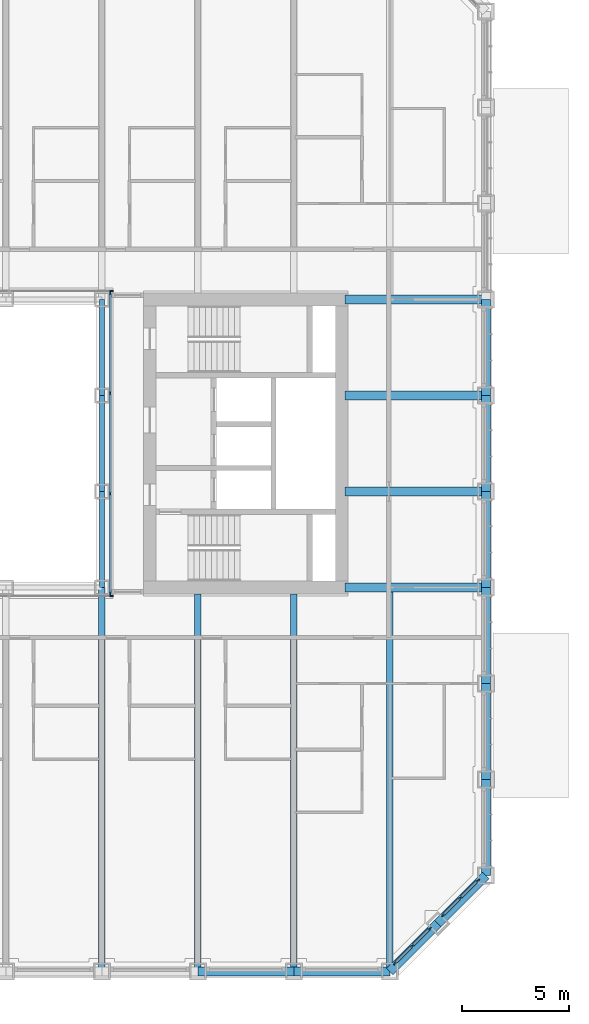
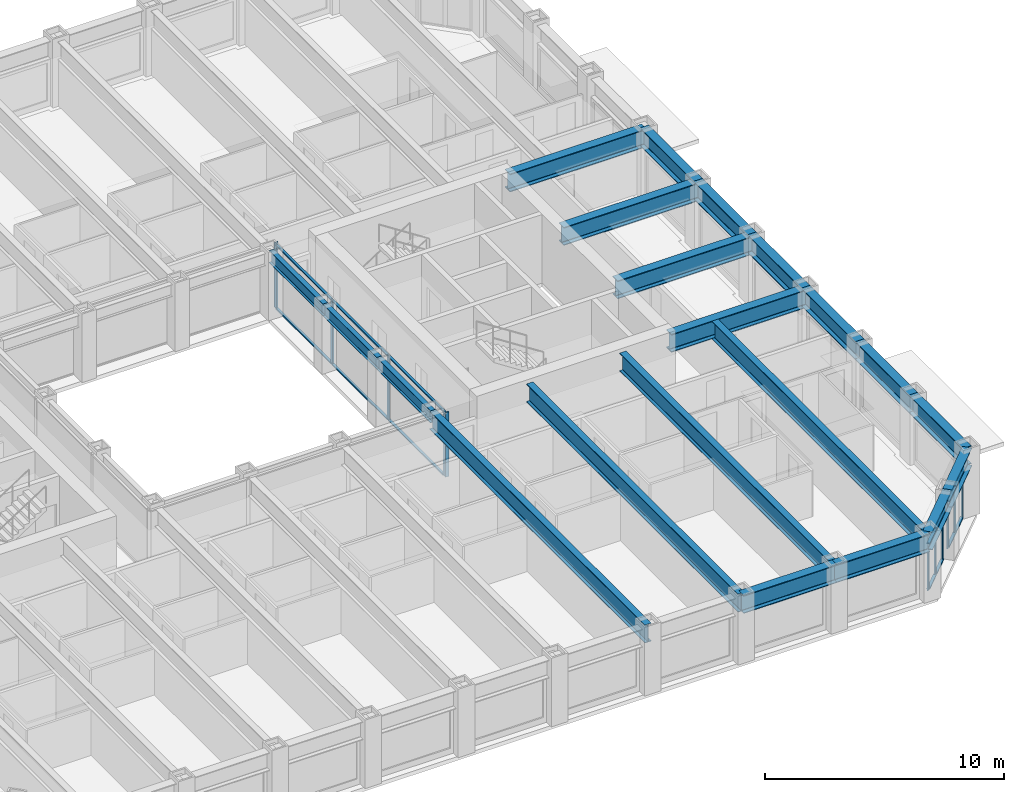
# One storey, part 5 of 24: 26 members, 21 beams, 5 elements without a shape of their own.
"""IFC4 building model written with IfcOpenShell, lengths in metres."""

from ifc_helpers import new_model, si_unit, direction, frame, origin, origin_2d, place, context, subcontext, project, spatial, rectangle, i_section, extrude, material, material_profile, profile_set, type_object, element, aggregate, save


model = new_model("IFC4")

# Units and contexts
model_context = context("Model", 3, precision=1e-05, world=origin(), true_north=direction((0.0, 1.0)))
body_context = subcontext(model_context, "Body", "Model", "MODEL_VIEW")
ifc_project = project(units=[si_unit("LENGTHUNIT", "METRE"), si_unit("AREAUNIT", "SQUARE_METRE"), si_unit("VOLUMEUNIT", "CUBIC_METRE"), si_unit("PLANEANGLEUNIT", "RADIAN"), si_unit("MASSUNIT", "GRAM", prefix="KILO")], contexts=[model_context])

# Site, building, storey
site_placement = place(None, origin())
site = spatial("IfcSite", under=ifc_project, at=site_placement, CompositionType="ELEMENT")
building_placement = place(site_placement, origin())
building = spatial("IfcBuilding", under=site, at=building_placement, Name="Msasa Ring Tower", CompositionType="ELEMENT")
storey_placement = place(building_placement, frame((0.0, 0.0, 26.5)))
storey = spatial("IfcBuildingStorey", under=building, at=storey_placement, Name="L05", CompositionType="ELEMENT", Elevation=26.5)

# Curtain wall, members
ifc_material_1 = material(Name="Aluminium curtain wall with clear glass", Category="aluminium")
curtain_wall_type_1 = type_object("IfcCurtainWallType", Name="CW-C CHAMFER CORNER CURTAIN WALL", PredefinedType="NOTDEFINED", material=ifc_material_1)
curtain_wall_1_placement = place(storey_placement, origin())
curtain_wall_1 = element("IfcCurtainWall", 1, at=curtain_wall_1_placement, inside=storey, type_object=curtain_wall_type_1, Name="Chamfer corner curtain wall SE L05", PredefinedType="NOTDEFINED")
ifc_material_2 = material(Name="Aluminium mullion", Category="aluminium")
ifc_material_profile_1 = material_profile(ifc_material_2, rectangle(XDim=0.06494140625, YDim=0.179931640625, at=origin_2d()), Name="AL 65x180")
ifc_profile_set_1 = profile_set([ifc_material_profile_1], Name="Aluminium mullion")
member_type_1 = type_object("IfcMemberType", Name="CW-C MULLION 65x180", PredefinedType="MULLION", material=ifc_profile_set_1)
member_1_placement = place(storey_placement, frame((20.48876953125, -24.369873046875, 0.0), z_axis=(0.0, 0.0, 1.0), x_axis=(-0.707106781187, 0.707106781187, 0.0)))
member_1 = element("IfcMember", 2, at=member_1_placement, type_object=member_type_1, Name="CW-C mullion 1", PredefinedType="MULLION", context=body_context, shape_type="SweptSolid", body=[
    extrude(rectangle(XDim=0.06494140625, YDim=0.179931640625, at=origin_2d()), origin(), (0.0, 0.0, 1.0), 2.37890625),
])
member_2_placement = place(storey_placement, frame((21.30419921875, -23.55419921875, 0.0), z_axis=(0.0, 0.0, 1.0), x_axis=(-0.707106781187, 0.707106781187, 0.0)))
member_2 = element("IfcMember", 3, at=member_2_placement, type_object=member_type_1, Name="CW-C mullion 2", PredefinedType="MULLION", context=body_context, shape_type="SweptSolid", body=[
    extrude(rectangle(XDim=0.06494140625, YDim=0.179931640625, at=origin_2d()), origin(), (0.0, 0.0, 1.0), 2.37890625),
])
member_3_placement = place(storey_placement, frame((22.119873046875, -22.73876953125, 0.0), z_axis=(0.0, 0.0, 1.0), x_axis=(-0.707106781187, 0.707106781187, 0.0)))
member_3 = element("IfcMember", 4, at=member_3_placement, type_object=member_type_1, Name="CW-C mullion 3", PredefinedType="MULLION", context=body_context, shape_type="SweptSolid", body=[
    extrude(rectangle(XDim=0.06494140625, YDim=0.179931640625, at=origin_2d()), origin(), (0.0, 0.0, 1.0), 2.37890625),
])

curtain_wall_2_placement = place(storey_placement, origin())
curtain_wall_2 = element("IfcCurtainWall", 5, at=curtain_wall_2_placement, inside=storey, type_object=curtain_wall_type_1, Name="Chamfer corner curtain wall SE L05", PredefinedType="NOTDEFINED")
member_4_placement = place(storey_placement, frame((22.73876953125, -22.119873046875, 0.0), z_axis=(0.0, 0.0, 1.0), x_axis=(-0.707106781187, 0.707106781187, 0.0)))
member_4 = element("IfcMember", 6, at=member_4_placement, type_object=member_type_1, Name="CW-C mullion 1", PredefinedType="MULLION", context=body_context, shape_type="SweptSolid", body=[
    extrude(rectangle(XDim=0.06494140625, YDim=0.179931640625, at=origin_2d()), origin(), (0.0, 0.0, 1.0), 2.37890625),
])
member_5_placement = place(storey_placement, frame((23.55419921875, -21.30419921875, 0.0), z_axis=(0.0, 0.0, 1.0), x_axis=(-0.707106781187, 0.707106781187, 0.0)))
member_5 = element("IfcMember", 7, at=member_5_placement, type_object=member_type_1, Name="CW-C mullion 2", PredefinedType="MULLION", context=body_context, shape_type="SweptSolid", body=[
    extrude(rectangle(XDim=0.06494140625, YDim=0.179931640625, at=origin_2d()), origin(), (0.0, 0.0, 1.0), 2.37890625),
])
member_6_placement = place(storey_placement, frame((24.369873046875, -20.48876953125, 0.0), z_axis=(0.0, 0.0, 1.0), x_axis=(-0.707106781187, 0.707106781187, 0.0)))
member_6 = element("IfcMember", 8, at=member_6_placement, type_object=member_type_1, Name="CW-C mullion 3", PredefinedType="MULLION", context=body_context, shape_type="SweptSolid", body=[
    extrude(rectangle(XDim=0.06494140625, YDim=0.179931640625, at=origin_2d()), origin(), (0.0, 0.0, 1.0), 2.37890625),
])

# Member
ifc_material_3 = material(Name="Aluminium transom", Category="aluminium")
ifc_material_profile_2 = material_profile(ifc_material_3, rectangle(XDim=0.139892578125, YDim=0.06494140625, at=origin_2d()), Name="AL 65x140")
ifc_profile_set_2 = profile_set([ifc_material_profile_2], Name="Aluminium transom")
member_type_2 = type_object("IfcMemberType", Name="CW-C TRANSOM 65x140", PredefinedType="USERDEFINED", material=ifc_profile_set_2)
member_7_placement = place(storey_placement, frame((20.51171875, -24.346923828125, 0.032470703125), z_axis=(0.707106781187, 0.707106781187, 0.0), x_axis=(-0.707106781187, 0.707106781187, 0.0)))
member_7 = element("IfcMember", 9, at=member_7_placement, type_object=member_type_2, Name="CW-C transom 1.1", ObjectType="TRANSOM", PredefinedType="USERDEFINED", context=body_context, shape_type="SweptSolid", body=[
    extrude(rectangle(XDim=0.139892578125, YDim=0.06494140625, at=origin_2d()), origin(), (0.0, 0.0, 1.0), 1.08837890625),
])

member_8_placement = place(storey_placement, frame((20.51171875, -24.346923828125, 2.346435546875), z_axis=(0.707106781187, 0.707106781187, 0.0), x_axis=(-0.707106781187, 0.707106781187, 0.0)))
member_8 = element("IfcMember", 10, at=member_8_placement, type_object=member_type_2, Name="CW-C transom 1.2", ObjectType="TRANSOM", PredefinedType="USERDEFINED", context=body_context, shape_type="SweptSolid", body=[
    extrude(rectangle(XDim=0.139892578125, YDim=0.06494140625, at=origin_2d()), origin(), (0.0, 0.0, 1.0), 1.08837890625),
])

member_9_placement = place(storey_placement, frame((21.327392578125, -23.53125, 0.032470703125), z_axis=(0.707106781187, 0.707106781187, 0.0), x_axis=(-0.707106781187, 0.707106781187, 0.0)))
member_9 = element("IfcMember", 11, at=member_9_placement, type_object=member_type_2, Name="CW-C transom 2.1", ObjectType="TRANSOM", PredefinedType="USERDEFINED", context=body_context, shape_type="SweptSolid", body=[
    extrude(rectangle(XDim=0.139892578125, YDim=0.06494140625, at=origin_2d()), origin(), (0.0, 0.0, 1.0), 1.08837890625),
])

member_10_placement = place(storey_placement, frame((21.327392578125, -23.53125, 2.346435546875), z_axis=(0.707106781187, 0.707106781187, 0.0), x_axis=(-0.707106781187, 0.707106781187, 0.0)))
member_10 = element("IfcMember", 12, at=member_10_placement, type_object=member_type_2, Name="CW-C transom 2.2", ObjectType="TRANSOM", PredefinedType="USERDEFINED", context=body_context, shape_type="SweptSolid", body=[
    extrude(rectangle(XDim=0.139892578125, YDim=0.06494140625, at=origin_2d()), origin(), (0.0, 0.0, 1.0), 1.08837890625),
])

aggregate(curtain_wall_1, [member_1, member_2, member_3, member_7, member_8, member_9, member_10])

member_11_placement = place(storey_placement, frame((22.76171875, -22.096923828125, 0.032470703125), z_axis=(0.707106781187, 0.707106781187, 0.0), x_axis=(-0.707106781187, 0.707106781187, 0.0)))
member_11 = element("IfcMember", 13, at=member_11_placement, type_object=member_type_2, Name="CW-C transom 1.1", ObjectType="TRANSOM", PredefinedType="USERDEFINED", context=body_context, shape_type="SweptSolid", body=[
    extrude(rectangle(XDim=0.139892578125, YDim=0.06494140625, at=origin_2d()), origin(), (0.0, 0.0, 1.0), 1.08837890625),
])

member_12_placement = place(storey_placement, frame((22.76171875, -22.096923828125, 2.346435546875), z_axis=(0.707106781187, 0.707106781187, 0.0), x_axis=(-0.707106781187, 0.707106781187, 0.0)))
member_12 = element("IfcMember", 14, at=member_12_placement, type_object=member_type_2, Name="CW-C transom 1.2", ObjectType="TRANSOM", PredefinedType="USERDEFINED", context=body_context, shape_type="SweptSolid", body=[
    extrude(rectangle(XDim=0.139892578125, YDim=0.06494140625, at=origin_2d()), origin(), (0.0, 0.0, 1.0), 1.08837890625),
])

member_13_placement = place(storey_placement, frame((23.577392578125, -21.28125, 0.032470703125), z_axis=(0.707106781187, 0.707106781187, 0.0), x_axis=(-0.707106781187, 0.707106781187, 0.0)))
member_13 = element("IfcMember", 15, at=member_13_placement, type_object=member_type_2, Name="CW-C transom 2.1", ObjectType="TRANSOM", PredefinedType="USERDEFINED", context=body_context, shape_type="SweptSolid", body=[
    extrude(rectangle(XDim=0.139892578125, YDim=0.06494140625, at=origin_2d()), origin(), (0.0, 0.0, 1.0), 1.08837890625),
])

member_14_placement = place(storey_placement, frame((23.577392578125, -21.28125, 2.346435546875), z_axis=(0.707106781187, 0.707106781187, 0.0), x_axis=(-0.707106781187, 0.707106781187, 0.0)))
member_14 = element("IfcMember", 16, at=member_14_placement, type_object=member_type_2, Name="CW-C transom 2.2", ObjectType="TRANSOM", PredefinedType="USERDEFINED", context=body_context, shape_type="SweptSolid", body=[
    extrude(rectangle(XDim=0.139892578125, YDim=0.06494140625, at=origin_2d()), origin(), (0.0, 0.0, 1.0), 1.08837890625),
])

aggregate(curtain_wall_2, [member_4, member_5, member_6, member_11, member_12, member_13, member_14])

# Curtain wall, member
ifc_material_4 = material(Name="Aluminium curtain wall with clear glass", Category="aluminium")
curtain_wall_type_2 = type_object("IfcCurtainWallType", Name="CW-W LIGHT WELL CURTAIN WALL", PredefinedType="NOTDEFINED", material=ifc_material_4)
curtain_wall_3_placement = place(storey_placement, origin())
curtain_wall_3 = element("IfcCurtainWall", 17, at=curtain_wall_3_placement, inside=storey, type_object=curtain_wall_type_2, Name="Light well curtain wall N L05", PredefinedType="NOTDEFINED")
ifc_material_5 = material(Name="Aluminium mullion", Category="aluminium")
ifc_material_profile_3 = material_profile(ifc_material_5, rectangle(XDim=0.06005859375, YDim=0.159912109375, at=origin_2d()), Name="AL 60x160")
ifc_profile_set_3 = profile_set([ifc_material_profile_3], Name="Aluminium mullion")
member_type_3 = type_object("IfcMemberType", Name="CW-W MULLION 60x160", PredefinedType="MULLION", material=ifc_profile_set_3)
member_15_placement = place(storey_placement, frame((7.199951171875, 7.14990234375, 0.0), z_axis=(0.0, 0.0, 1.0), x_axis=(0.0, 1.0, 0.0)))
member_15 = element("IfcMember", 18, at=member_15_placement, type_object=member_type_3, Name="CW-W mullion 4", PredefinedType="MULLION", context=body_context, shape_type="SweptSolid", body=[
    extrude(rectangle(XDim=0.06005859375, YDim=0.159912109375, at=origin_2d()), origin(), (0.0, 0.0, 1.0), 3.300048828125),
])
aggregate(curtain_wall_3, [member_15])

curtain_wall_4_placement = place(storey_placement, origin())
curtain_wall_4 = element("IfcCurtainWall", 19, at=curtain_wall_4_placement, inside=storey, type_object=curtain_wall_type_2, Name="Light well curtain wall S L05", PredefinedType="NOTDEFINED")
member_16_placement = place(storey_placement, frame((7.199951171875, -7.14990234375, 0.0), z_axis=(0.0, 0.0, 1.0), x_axis=(0.0, 1.0, 0.0)))
member_16 = element("IfcMember", 20, at=member_16_placement, type_object=member_type_3, Name="CW-W mullion 4", PredefinedType="MULLION", context=body_context, shape_type="SweptSolid", body=[
    extrude(rectangle(XDim=0.06005859375, YDim=0.159912109375, at=origin_2d()), origin(), (0.0, 0.0, 1.0), 3.300048828125),
])
aggregate(curtain_wall_4, [member_16])

# Curtain wall, members
curtain_wall_5_placement = place(storey_placement, origin())
curtain_wall_5 = element("IfcCurtainWall", 21, at=curtain_wall_5_placement, inside=storey, type_object=curtain_wall_type_2, Name="Light well curtain wall E L05", PredefinedType="NOTDEFINED")
member_17_placement = place(storey_placement, frame((7.14990234375, -7.0400390625, 0.0), z_axis=(0.0, 0.0, 1.0), x_axis=(-1.0, 0.0, 0.0)))
member_17 = element("IfcMember", 22, at=member_17_placement, type_object=member_type_3, Name="CW-W mullion 1", PredefinedType="MULLION", context=body_context, shape_type="SweptSolid", body=[
    extrude(rectangle(XDim=0.06005859375, YDim=0.159912109375, at=origin_2d()), origin(), (0.0, 0.0, 1.0), 3.300048828125),
])
member_18_placement = place(storey_placement, frame((7.14990234375, -2.356689453125, 0.0), z_axis=(0.0, 0.0, 1.0), x_axis=(-1.0, 0.0, 0.0)))
member_18 = element("IfcMember", 23, at=member_18_placement, type_object=member_type_3, Name="CW-W mullion 2", PredefinedType="MULLION", context=body_context, shape_type="SweptSolid", body=[
    extrude(rectangle(XDim=0.06005859375, YDim=0.159912109375, at=origin_2d()), origin(), (0.0, 0.0, 1.0), 3.300048828125),
])
member_19_placement = place(storey_placement, frame((7.14990234375, 2.356689453125, 0.0), z_axis=(0.0, 0.0, 1.0), x_axis=(-1.0, 0.0, 0.0)))
member_19 = element("IfcMember", 24, at=member_19_placement, type_object=member_type_3, Name="CW-W mullion 3", PredefinedType="MULLION", context=body_context, shape_type="SweptSolid", body=[
    extrude(rectangle(XDim=0.06005859375, YDim=0.159912109375, at=origin_2d()), origin(), (0.0, 0.0, 1.0), 3.300048828125),
])
member_20_placement = place(storey_placement, frame((7.14990234375, 7.0400390625, 0.0), z_axis=(0.0, 0.0, 1.0), x_axis=(-1.0, 0.0, 0.0)))
member_20 = element("IfcMember", 25, at=member_20_placement, type_object=member_type_3, Name="CW-W mullion 4", PredefinedType="MULLION", context=body_context, shape_type="SweptSolid", body=[
    extrude(rectangle(XDim=0.06005859375, YDim=0.159912109375, at=origin_2d()), origin(), (0.0, 0.0, 1.0), 3.300048828125),
])
ifc_material_6 = material(Name="Aluminium transom", Category="aluminium")
ifc_material_profile_4 = material_profile(ifc_material_6, rectangle(XDim=0.1201171875, YDim=0.06005859375, at=origin_2d()), Name="AL 60x120")
ifc_profile_set_4 = profile_set([ifc_material_profile_4], Name="Aluminium transom")
member_type_4 = type_object("IfcMemberType", Name="CW-W TRANSOM 60x120", PredefinedType="USERDEFINED", material=ifc_profile_set_4)
member_21_placement = place(storey_placement, frame((7.14990234375, -7.010009765625, 0.030029296875), z_axis=(0.0, 1.0, 0.0), x_axis=(-1.0, 0.0, 0.0)))
member_21 = element("IfcMember", 26, at=member_21_placement, type_object=member_type_4, Name="CW-W transom 1.1", ObjectType="TRANSOM", PredefinedType="USERDEFINED", context=body_context, shape_type="SweptSolid", body=[
    extrude(rectangle(XDim=0.1201171875, YDim=0.06005859375, at=origin_2d()), origin(), (0.0, 0.0, 1.0), 4.623291015625),
])
member_22_placement = place(storey_placement, frame((7.14990234375, -7.010009765625, 3.27001953125), z_axis=(0.0, 1.0, 0.0), x_axis=(-1.0, 0.0, 0.0)))
member_22 = element("IfcMember", 27, at=member_22_placement, type_object=member_type_4, Name="CW-W transom 1.2", ObjectType="TRANSOM", PredefinedType="USERDEFINED", context=body_context, shape_type="SweptSolid", body=[
    extrude(rectangle(XDim=0.1201171875, YDim=0.06005859375, at=origin_2d()), origin(), (0.0, 0.0, 1.0), 4.623291015625),
])
member_23_placement = place(storey_placement, frame((7.14990234375, -2.32666015625, 0.030029296875), z_axis=(0.0, 1.0, 0.0), x_axis=(-1.0, 0.0, 0.0)))
member_23 = element("IfcMember", 28, at=member_23_placement, type_object=member_type_4, Name="CW-W transom 2.1", ObjectType="TRANSOM", PredefinedType="USERDEFINED", context=body_context, shape_type="SweptSolid", body=[
    extrude(rectangle(XDim=0.1201171875, YDim=0.06005859375, at=origin_2d()), origin(), (0.0, 0.0, 1.0), 4.6533203125),
])
member_24_placement = place(storey_placement, frame((7.14990234375, -2.32666015625, 3.27001953125), z_axis=(0.0, 1.0, 0.0), x_axis=(-1.0, 0.0, 0.0)))
member_24 = element("IfcMember", 29, at=member_24_placement, type_object=member_type_4, Name="CW-W transom 2.2", ObjectType="TRANSOM", PredefinedType="USERDEFINED", context=body_context, shape_type="SweptSolid", body=[
    extrude(rectangle(XDim=0.1201171875, YDim=0.06005859375, at=origin_2d()), origin(), (0.0, 0.0, 1.0), 4.6533203125),
])
member_25_placement = place(storey_placement, frame((7.14990234375, 2.38671875, 0.030029296875), z_axis=(0.0, 1.0, 0.0), x_axis=(-1.0, 0.0, 0.0)))
member_25 = element("IfcMember", 30, at=member_25_placement, type_object=member_type_4, Name="CW-W transom 3.1", ObjectType="TRANSOM", PredefinedType="USERDEFINED", context=body_context, shape_type="SweptSolid", body=[
    extrude(rectangle(XDim=0.1201171875, YDim=0.06005859375, at=origin_2d()), origin(), (0.0, 0.0, 1.0), 4.623291015625),
])
member_26_placement = place(storey_placement, frame((7.14990234375, 2.38671875, 3.27001953125), z_axis=(0.0, 1.0, 0.0), x_axis=(-1.0, 0.0, 0.0)))
member_26 = element("IfcMember", 31, at=member_26_placement, type_object=member_type_4, Name="CW-W transom 3.2", ObjectType="TRANSOM", PredefinedType="USERDEFINED", context=body_context, shape_type="SweptSolid", body=[
    extrude(rectangle(XDim=0.1201171875, YDim=0.06005859375, at=origin_2d()), origin(), (0.0, 0.0, 1.0), 4.623291015625),
])
aggregate(curtain_wall_5, [member_17, member_18, member_19, member_20, member_21, member_22, member_23, member_24, member_25, member_26])

# Beams
ifc_material_7 = material(Name="Steel S355", Category="steel")
ifc_material_profile_5 = material_profile(ifc_material_7, i_section(OverallWidth=0.42041015625, OverallDepth=0.9208984375, WebThickness=0.021484375, FlangeThickness=0.03662109375, FilletRadius=0.024169921875, at=origin_2d()), Name="UB 914x419x388")
ifc_profile_set_5 = profile_set([ifc_material_profile_5], Name="Steel S355")
beam_type_1 = type_object("IfcBeamType", Name="FB2 UB 914x419x388", PredefinedType="BEAM", material=ifc_profile_set_5)
for number, where, z_axis, x_axis, name in (
    (32, (24.75, -2.25, 2.839599609375), (-1.0, 0.0, 0.0), (0.0, -1.0, 0.0), "Floor beam E -2.25 under L06"),
    (33, (24.75, 2.25, 2.839599609375), (-1.0, 0.0, 0.0), (0.0, -1.0, 0.0), "Floor beam E +2.25 under L06"),
):
    element("IfcBeam", number, at=place(storey_placement, frame(where, z_axis=z_axis, x_axis=x_axis)), inside=storey, type_object=beam_type_1, Name=name, PredefinedType="BEAM", context=body_context, shape_type="SweptSolid", body=[
        extrude(i_section(OverallWidth=0.42041015625, OverallDepth=0.9208984375, WebThickness=0.021484375, FlangeThickness=0.03662109375, FilletRadius=0.024169921875, at=origin_2d()), origin(), (0.0, 0.0, 1.0), 6.60009765625),
    ])
ifc_material_8 = material(Name="Steel S355", Category="steel")
ifc_material_profile_6 = material_profile(ifc_material_8, i_section(OverallWidth=0.3076171875, OverallDepth=0.926513671875, WebThickness=0.01953125, FlangeThickness=0.031982421875, FilletRadius=0.01904296875, at=origin_2d()), Name="UB 914x305x289")
ifc_profile_set_6 = profile_set([ifc_material_profile_6], Name="Steel S355")
beam_type_2 = type_object("IfcBeamType", Name="FB3 UB 914x305x289", PredefinedType="BEAM", material=ifc_profile_set_6)
beam_1_placement = place(storey_placement, frame((6.75, -24.75, 2.836669921875), z_axis=(0.0, 1.0, 0.0), x_axis=(-1.0, 0.0, 0.0)))
element("IfcBeam", 34, at=beam_1_placement, inside=storey, type_object=beam_type_2, Name="Floor beam S+6.75 under L06", PredefinedType="BEAM", context=body_context, shape_type="SweptSolid", body=[
    extrude(i_section(OverallWidth=0.3076171875, OverallDepth=0.926513671875, WebThickness=0.01953125, FlangeThickness=0.031982421875, FilletRadius=0.01904296875, at=origin_2d()), origin(), (0.0, 0.0, 1.0), 18.0),
])
for number, where, z_axis, x_axis, name in (
    (35, (11.25, -24.75, 2.836669921875), (0.0, 1.0, 0.0), (-1.0, 0.0, 0.0), "Floor beam S+11.25 under L06"),
    (36, (15.75, -24.75, 2.836669921875), (0.0, 1.0, 0.0), (-1.0, 0.0, 0.0), "Floor beam S+15.75 under L06"),
):
    element("IfcBeam", number, at=place(storey_placement, frame(where, z_axis=z_axis, x_axis=x_axis)), inside=storey, type_object=beam_type_2, Name=name, PredefinedType="BEAM", context=body_context, shape_type="SweptSolid", body=[
        extrude(i_section(OverallWidth=0.3076171875, OverallDepth=0.926513671875, WebThickness=0.01953125, FlangeThickness=0.031982421875, FilletRadius=0.01904296875, at=origin_2d()), origin(), (0.0, 0.0, 1.0), 17.699951171875),
    ])
beam_2_placement = place(storey_placement, frame((20.25, -24.75, 2.836669921875), z_axis=(0.0, 1.0, 0.0), x_axis=(-1.0, 0.0, 0.0)))
element("IfcBeam", 37, at=beam_2_placement, inside=storey, type_object=beam_type_2, Name="Floor beam S+20.25 under L06", PredefinedType="BEAM", context=body_context, shape_type="SweptSolid", body=[
    extrude(i_section(OverallWidth=0.3076171875, OverallDepth=0.926513671875, WebThickness=0.01953125, FlangeThickness=0.031982421875, FilletRadius=0.01904296875, at=origin_2d()), origin(), (0.0, 0.0, 1.0), 17.789794921875),
])
ifc_material_9 = material(Name="Steel S355", Category="steel")
ifc_material_profile_7 = material_profile(ifc_material_9, i_section(OverallWidth=0.42041015625, OverallDepth=0.9208984375, WebThickness=0.021484375, FlangeThickness=0.03662109375, FilletRadius=0.024169921875, at=origin_2d()), Name="UB 914x419x388")
ifc_profile_set_7 = profile_set([ifc_material_profile_7], Name="Steel S355")
beam_type_3 = type_object("IfcBeamType", Name="GB1 UB 914x419x388", PredefinedType="BEAM", material=ifc_profile_set_7)
for number, where, z_axis, x_axis, name in (
    (38, (18.14990234375, 6.75, 2.839599609375), (1.0, 0.0, 0.0), (0.0, 1.0, 0.0), "Girder E +6.75 under L06"),
    (39, (18.14990234375, -6.75, 2.839599609375), (1.0, 0.0, 0.0), (0.0, 1.0, 0.0), "Girder E -6.75 under L06"),
):
    element("IfcBeam", number, at=place(storey_placement, frame(where, z_axis=z_axis, x_axis=x_axis)), inside=storey, type_object=beam_type_3, Name=name, PredefinedType="BEAM", context=body_context, shape_type="SweptSolid", body=[
        extrude(i_section(OverallWidth=0.42041015625, OverallDepth=0.9208984375, WebThickness=0.021484375, FlangeThickness=0.03662109375, FilletRadius=0.024169921875, at=origin_2d()), origin(), (0.0, 0.0, 1.0), 6.60009765625),
    ])
ifc_material_10 = material(Name="Steel S355", Category="steel")
ifc_material_profile_8 = material_profile(ifc_material_10, i_section(OverallWidth=0.230224609375, OverallDepth=0.6171875, WebThickness=0.01318359375, FlangeThickness=0.022216796875, FilletRadius=0.0126953125, at=origin_2d()), Name="UB 610x229x140")
ifc_profile_set_8 = profile_set([ifc_material_profile_8], Name="Steel S355")
beam_type_4 = type_object("IfcBeamType", Name="RB1 UB 610x229x140", PredefinedType="BEAM", material=ifc_profile_set_8)
for number, where, z_axis, x_axis, name in (
    (40, (6.75, -6.75, 2.991455078125), (0.0, 1.0, 0.0), (-1.0, 0.0, 0.0), "Inner ring beam IR+6.75-6.75 under L06"),
    (41, (6.75, -2.25, 2.991455078125), (0.0, 1.0, 0.0), (-1.0, 0.0, 0.0), "Inner ring beam IR+6.75-2.25 under L06"),
    (42, (6.75, 2.25, 2.991455078125), (0.0, 1.0, 0.0), (-1.0, 0.0, 0.0), "Inner ring beam IR+6.75+2.25 under L06"),
):
    element("IfcBeam", number, at=place(storey_placement, frame(where, z_axis=z_axis, x_axis=x_axis)), inside=storey, type_object=beam_type_4, Name=name, PredefinedType="BEAM", context=body_context, shape_type="SweptSolid", body=[
        extrude(i_section(OverallWidth=0.230224609375, OverallDepth=0.6171875, WebThickness=0.01318359375, FlangeThickness=0.022216796875, FilletRadius=0.0126953125, at=origin_2d()), origin(), (0.0, 0.0, 1.0), 4.5),
    ])
ifc_material_11 = material(Name="Steel S355", Category="steel")
ifc_material_profile_9 = material_profile(ifc_material_11, i_section(OverallWidth=0.42041015625, OverallDepth=0.9208984375, WebThickness=0.021484375, FlangeThickness=0.03662109375, FilletRadius=0.024169921875, at=origin_2d()), Name="UB 914x419x388")
ifc_profile_set_9 = profile_set([ifc_material_profile_9], Name="Steel S355")
beam_type_5 = type_object("IfcBeamType", Name="SB1 UB 914x419x388", PredefinedType="SPANDREL", material=ifc_profile_set_9)
for number, where, z_axis, x_axis, name in (
    (43, (11.25, -24.75, 2.839599609375), (1.0, 0.0, 0.0), (0.0, 1.0, 0.0), "Spandrel S+11.25 to S+15.75 under L06"),
    (44, (15.75, -24.75, 2.839599609375), (1.0, 0.0, 0.0), (0.0, 1.0, 0.0), "Spandrel S+15.75 to S+20.25 under L06"),
):
    element("IfcBeam", number, at=place(storey_placement, frame(where, z_axis=z_axis, x_axis=x_axis)), inside=storey, type_object=beam_type_5, Name=name, PredefinedType="SPANDREL", context=body_context, shape_type="SweptSolid", body=[
        extrude(i_section(OverallWidth=0.42041015625, OverallDepth=0.9208984375, WebThickness=0.021484375, FlangeThickness=0.03662109375, FilletRadius=0.024169921875, at=origin_2d()), origin(), (0.0, 0.0, 1.0), 4.5),
    ])
for number, where, z_axis, x_axis, name in (
    (45, (20.25, -24.75, 2.839599609375), (0.707106781187, 0.707106781187, 0.0), (-0.707106781187, 0.707106781187, 0.0), "Spandrel S+20.25 to SE under L06"),
    (46, (22.5, -22.5, 2.839599609375), (0.707106781187, 0.707106781187, 0.0), (-0.707106781187, 0.707106781187, 0.0), "Spandrel SE to E-20.25 under L06"),
):
    element("IfcBeam", number, at=place(storey_placement, frame(where, z_axis=z_axis, x_axis=x_axis)), inside=storey, type_object=beam_type_5, Name=name, PredefinedType="SPANDREL", context=body_context, shape_type="SweptSolid", body=[
        extrude(i_section(OverallWidth=0.42041015625, OverallDepth=0.9208984375, WebThickness=0.021484375, FlangeThickness=0.03662109375, FilletRadius=0.024169921875, at=origin_2d()), origin(), (0.0, 0.0, 1.0), 3.181884765625),
    ])
for number, where, z_axis, x_axis, name in (
    (47, (24.75, -20.25, 2.839599609375), (0.0, 1.0, 0.0), (-1.0, 0.0, 0.0), "Spandrel E-20.25 to E-15.75 under L06"),
    (48, (24.75, -15.75, 2.839599609375), (0.0, 1.0, 0.0), (-1.0, 0.0, 0.0), "Spandrel E-15.75 to E-11.25 under L06"),
    (49, (24.75, -11.25, 2.839599609375), (0.0, 1.0, 0.0), (-1.0, 0.0, 0.0), "Spandrel E-11.25 to E-6.75 under L06"),
    (50, (24.75, -6.75, 2.839599609375), (0.0, 1.0, 0.0), (-1.0, 0.0, 0.0), "Spandrel E-6.75 to E-2.25 under L06"),
    (51, (24.75, -2.25, 2.839599609375), (0.0, 1.0, 0.0), (-1.0, 0.0, 0.0), "Spandrel E-2.25 to E+2.25 under L06"),
    (52, (24.75, 2.25, 2.839599609375), (0.0, 1.0, 0.0), (-1.0, 0.0, 0.0), "Spandrel E+2.25 to E+6.75 under L06"),
):
    element("IfcBeam", number, at=place(storey_placement, frame(where, z_axis=z_axis, x_axis=x_axis)), inside=storey, type_object=beam_type_5, Name=name, PredefinedType="SPANDREL", context=body_context, shape_type="SweptSolid", body=[
        extrude(i_section(OverallWidth=0.42041015625, OverallDepth=0.9208984375, WebThickness=0.021484375, FlangeThickness=0.03662109375, FilletRadius=0.024169921875, at=origin_2d()), origin(), (0.0, 0.0, 1.0), 4.5),
    ])

save(model, "model.ifc")
